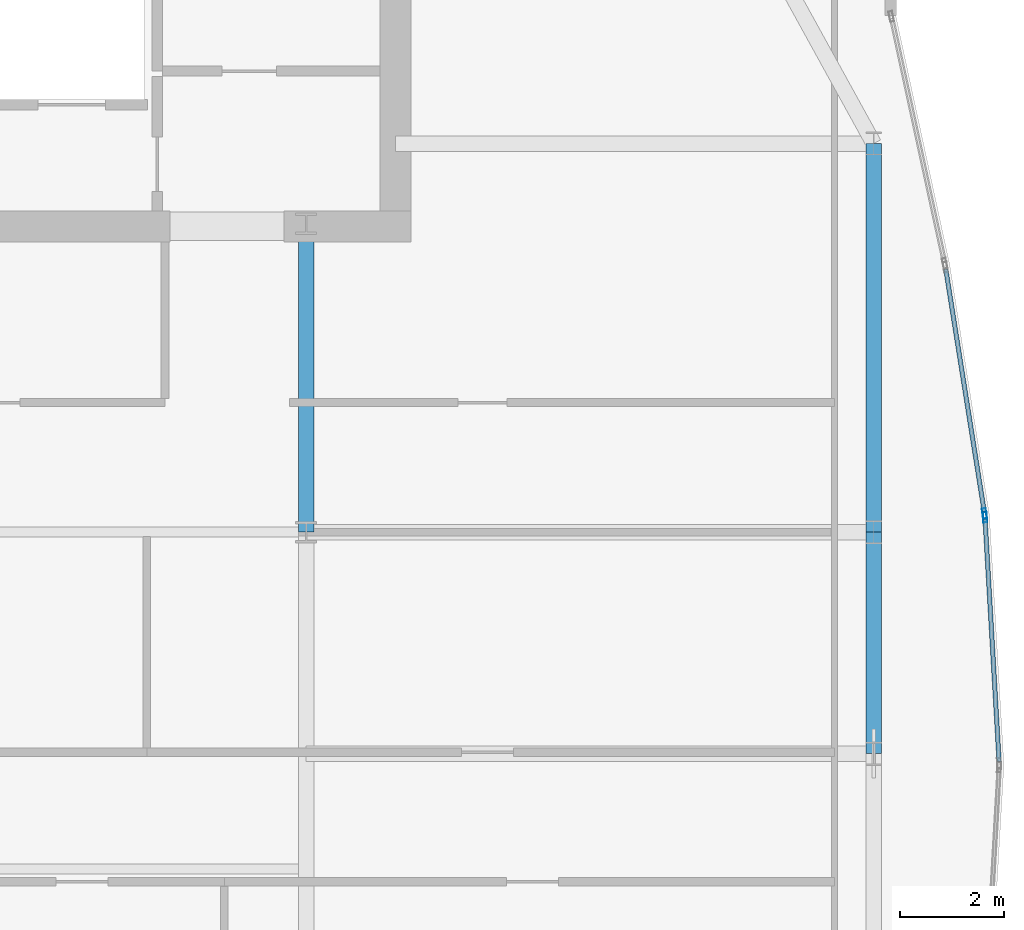
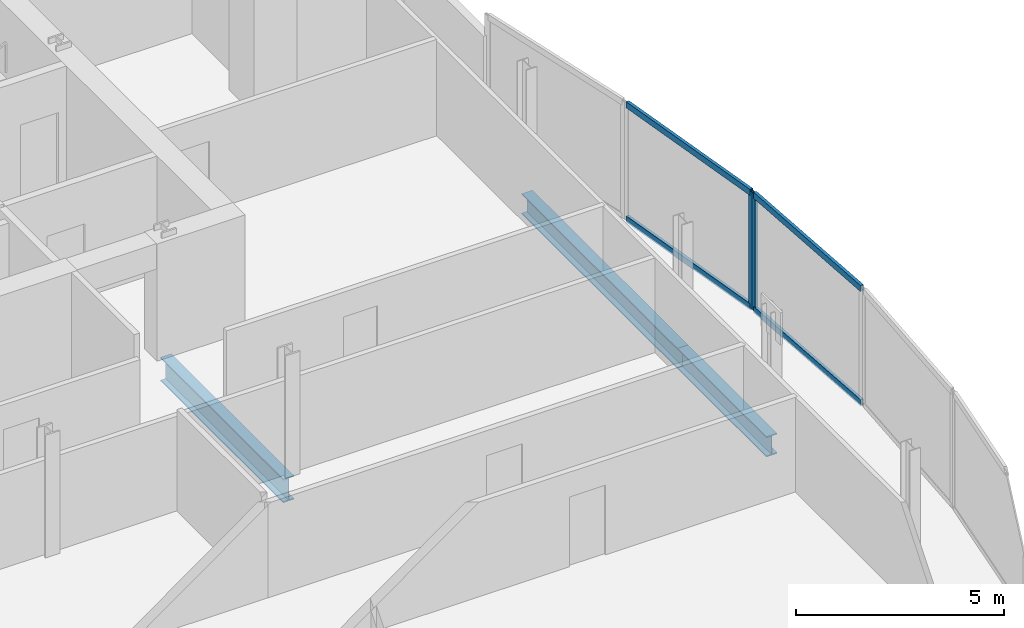
# One storey, part 19 of 30: 6 members, 3 beams, 2 elements without a shape of their own.
"""IFC4 building model written with IfcOpenShell, lengths in metres."""

from ifc_helpers import new_model, si_unit, direction, frame, origin, origin_2d, place, context, subcontext, project, spatial, hollow_rectangle, i_section, extrude, material, material_profile, profile_set, type_object, element, aggregate, save


model = new_model("IFC4")

# Units and contexts
model_context = context("Model", 3, precision=1e-05, world=origin(), true_north=direction((0.0, 1.0)))
body_context = subcontext(model_context, "Body", "Model", "MODEL_VIEW")
ifc_project = project(units=[si_unit("LENGTHUNIT", "METRE"), si_unit("AREAUNIT", "SQUARE_METRE"), si_unit("VOLUMEUNIT", "CUBIC_METRE"), si_unit("PLANEANGLEUNIT", "RADIAN"), si_unit("MASSUNIT", "GRAM", prefix="KILO")], contexts=[model_context])

# Site, building, storey
site_placement = place(None, origin())
site = spatial("IfcSite", under=ifc_project, at=site_placement, CompositionType="ELEMENT")
building_placement = place(site_placement, origin())
building = spatial("IfcBuilding", under=site, at=building_placement, Name="Khoronbel Lancet Exchange", CompositionType="ELEMENT")
storey_placement = place(building_placement, frame((0.0, 0.0, 217.39990234375)))
storey = spatial("IfcBuildingStorey", under=building, at=storey_placement, Name="L55", CompositionType="ELEMENT", Elevation=217.39990234375)

# Beams
ifc_material_1 = material(Name="Steel S355", Category="steel")
ifc_material_profile_1 = material_profile(ifc_material_1, i_section(OverallWidth=0.300048828125, OverallDepth=0.699951171875, WebThickness=0.01708984375, FlangeThickness=0.031982421875, at=origin_2d()), Name="HEB 700")
ifc_profile_set_1 = profile_set([ifc_material_profile_1], Name="Steel S355")
beam_type_1 = type_object("IfcBeamType", Name="BM-BG3", PredefinedType="BEAM", material=ifc_profile_set_1)
beam_1_placement = place(storey_placement, frame((54.675048828125, 35.699951171875, -0.510009765625), z_axis=(0.0, 1.0, 0.0), x_axis=(-1.0, 0.0, 0.0)))
element("IfcBeam", 1, at=beam_1_placement, inside=storey, type_object=beam_type_1, Name="Level L55 spine tie girder GN6", PredefinedType="BEAM", context=body_context, shape_type="SweptSolid", body=[
    extrude(i_section(OverallWidth=0.300048828125, OverallDepth=0.699951171875, WebThickness=0.01708984375, FlangeThickness=0.031982421875, at=origin_2d()), origin(), (0.0, 0.0, 1.0), 5.900146484375),
])
ifc_material_profile_2 = material_profile(ifc_material_1, i_section(OverallWidth=0.300048828125, OverallDepth=0.60009765625, WebThickness=0.015380859375, FlangeThickness=0.030029296875, at=origin_2d()), Name="HEB 600")
ifc_profile_set_2 = profile_set([ifc_material_profile_2], Name="Steel S355")
beam_type_2 = type_object("IfcBeamType", Name="BM-BSP2", PredefinedType="SPANDREL", material=ifc_profile_set_2)
beam_2_placement = place(storey_placement, frame((65.6298828125, 31.425048828125, -0.4599609375), z_axis=(0.0, 1.0, 0.0), x_axis=(-1.0, 0.0, 0.0)))
element("IfcBeam", 2, at=beam_2_placement, inside=storey, type_object=beam_type_2, Name="Level L55 perimeter spandrel beam SP13", PredefinedType="SPANDREL", context=body_context, shape_type="SweptSolid", body=[
    extrude(i_section(OverallWidth=0.300048828125, OverallDepth=0.60009765625, WebThickness=0.015380859375, FlangeThickness=0.030029296875, at=origin_2d()), origin(), (0.0, 0.0, 1.0), 4.27490234375),
])
beam_3_placement = place(storey_placement, frame((65.6298828125, 35.699951171875, -0.4599609375), z_axis=(0.0, 1.0, 0.0), x_axis=(-1.0, 0.0, 0.0)))
element("IfcBeam", 3, at=beam_3_placement, inside=storey, type_object=beam_type_2, Name="Level L55 perimeter spandrel beam SP14", PredefinedType="SPANDREL", context=body_context, shape_type="SweptSolid", body=[
    extrude(i_section(OverallWidth=0.300048828125, OverallDepth=0.60009765625, WebThickness=0.015380859375, FlangeThickness=0.030029296875, at=origin_2d()), origin(), (0.0, 0.0, 1.0), 7.5),
])

# Curtain wall, member
ifc_material_2 = material(Name="Low-E Solar Control Insulating Glass", Category="glass")
curtain_wall_type = type_object("IfcCurtainWallType", Name="CW-4", PredefinedType="NOTDEFINED", material=ifc_material_2)
curtain_wall_1_placement = place(storey_placement, origin())
curtain_wall_1 = element("IfcCurtainWall", 4, at=curtain_wall_1_placement, inside=storey, type_object=curtain_wall_type, Name="Unitised curtain wall CW-L55-E18", PredefinedType="NOTDEFINED")
ifc_material_3 = material(Name="Bronze-Anodised Aluminium 6063-T6", Category="aluminium")
ifc_material_profile_3 = material_profile(ifc_material_3, hollow_rectangle(XDim=0.074951171875, YDim=0.199951171875, WallThickness=0.0048828125, at=origin_2d()), Name="ALU MULLION 75x200")
ifc_profile_set_3 = profile_set([ifc_material_profile_3], Name="Bronze-Anodised Aluminium 6063-T6")
member_type_1 = type_object("IfcMemberType", Name="MEM-CWM2", PredefinedType="MULLION", material=ifc_profile_set_3)
member_1_placement = place(storey_placement, frame((67.767822265625, 36.060546875, 0.0), z_axis=(0.0, 0.0, 1.0), x_axis=(0.987661213762, 0.156605641119, 0.0)))
member_1 = element("IfcMember", 5, at=member_1_placement, type_object=member_type_1, Name="CW4 mullion 2", PredefinedType="MULLION", context=body_context, shape_type="SweptSolid", body=[
    extrude(hollow_rectangle(XDim=0.074951171875, YDim=0.199951171875, WallThickness=0.0048828125, at=origin_2d()), origin(), (0.0, 0.0, 1.0), 3.440185546875),
])

curtain_wall_2_placement = place(storey_placement, origin())
curtain_wall_2 = element("IfcCurtainWall", 6, at=curtain_wall_2_placement, inside=storey, type_object=curtain_wall_type, Name="Unitised curtain wall CW-L55-E19", PredefinedType="NOTDEFINED")
member_2_placement = place(storey_placement, frame((67.77587890625, 35.986083984375, 0.0), z_axis=(0.0, 0.0, 1.0), x_axis=(0.998320661811, 0.057929752304, 0.0)))
member_2 = element("IfcMember", 7, at=member_2_placement, type_object=member_type_1, Name="CW4 mullion 1", PredefinedType="MULLION", context=body_context, shape_type="SweptSolid", body=[
    extrude(hollow_rectangle(XDim=0.074951171875, YDim=0.199951171875, WallThickness=0.0048828125, at=origin_2d()), origin(), (0.0, 0.0, 1.0), 3.440185546875),
])

# Member
ifc_material_profile_4 = material_profile(ifc_material_3, hollow_rectangle(XDim=0.0849609375, YDim=0.179931640625, WallThickness=0.0048828125, at=origin_2d()), Name="ALU TRANSOM 85x180")
ifc_profile_set_4 = profile_set([ifc_material_profile_4], Name="Bronze-Anodised Aluminium 6063-T6")
member_type_2 = type_object("IfcMemberType", Name="MEM-CWT1", PredefinedType="USERDEFINED", material=ifc_profile_set_4)
member_3_placement = place(storey_placement, frame((67.02001953125, 40.776123046875, 0.04248046875), z_axis=(0.156629490956, -0.987657431786, 0.0), x_axis=(0.987657431786, 0.156629490956, 0.0)))
member_3 = element("IfcMember", 8, at=member_3_placement, type_object=member_type_2, Name="CW4 transom 1.1", ObjectType="TRANSOM", PredefinedType="USERDEFINED", context=body_context, shape_type="SweptSolid", body=[
    extrude(hollow_rectangle(XDim=0.0849609375, YDim=0.179931640625, WallThickness=0.0048828125, at=origin_2d()), origin(), (0.0, 0.0, 1.0), 4.73681640625),
])

member_4_placement = place(storey_placement, frame((67.02001953125, 40.776123046875, 3.397705078125), z_axis=(0.156629490956, -0.987657431786, 0.0), x_axis=(0.987657431786, 0.156629490956, 0.0)))
member_4 = element("IfcMember", 9, at=member_4_placement, type_object=member_type_2, Name="CW4 transom 1.2", ObjectType="TRANSOM", PredefinedType="USERDEFINED", context=body_context, shape_type="SweptSolid", body=[
    extrude(hollow_rectangle(XDim=0.0849609375, YDim=0.179931640625, WallThickness=0.0048828125, at=origin_2d()), origin(), (0.0, 0.0, 1.0), 4.73681640625),
])

aggregate(curtain_wall_1, [member_1, member_3, member_4])

member_5_placement = place(storey_placement, frame((67.77783203125, 35.94873046875, 0.04248046875), z_axis=(0.057936367987, -0.998320277899, 0.0), x_axis=(0.998320277899, 0.057936367987, 0.0)))
member_5 = element("IfcMember", 10, at=member_5_placement, type_object=member_type_2, Name="CW4 transom 1.1", ObjectType="TRANSOM", PredefinedType="USERDEFINED", context=body_context, shape_type="SweptSolid", body=[
    extrude(hollow_rectangle(XDim=0.0849609375, YDim=0.179931640625, WallThickness=0.0048828125, at=origin_2d()), origin(), (0.0, 0.0, 1.0), 4.681640625),
])

member_6_placement = place(storey_placement, frame((67.77783203125, 35.94873046875, 3.397705078125), z_axis=(0.057936367987, -0.998320277899, 0.0), x_axis=(0.998320277899, 0.057936367987, 0.0)))
member_6 = element("IfcMember", 11, at=member_6_placement, type_object=member_type_2, Name="CW4 transom 1.2", ObjectType="TRANSOM", PredefinedType="USERDEFINED", context=body_context, shape_type="SweptSolid", body=[
    extrude(hollow_rectangle(XDim=0.0849609375, YDim=0.179931640625, WallThickness=0.0048828125, at=origin_2d()), origin(), (0.0, 0.0, 1.0), 4.681640625),
])

aggregate(curtain_wall_2, [member_2, member_5, member_6])

save(model, "model.ifc")
